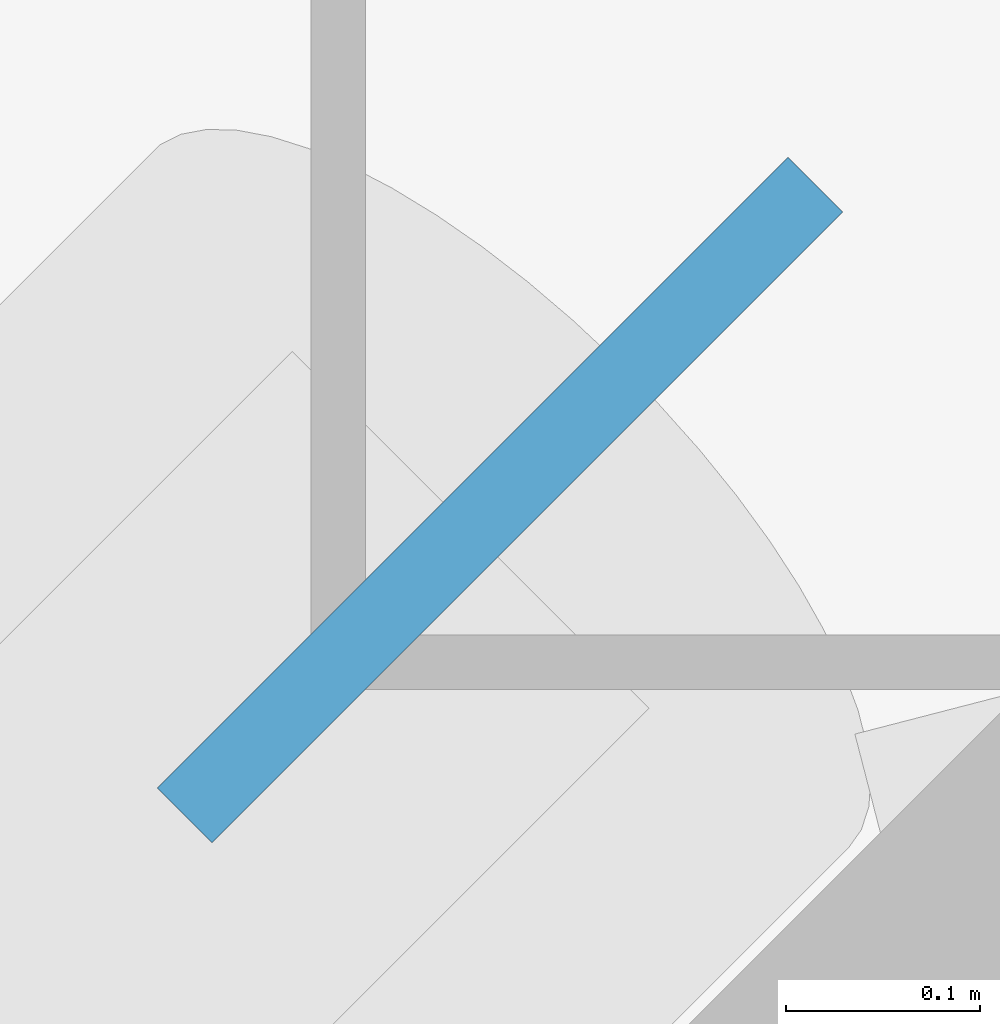
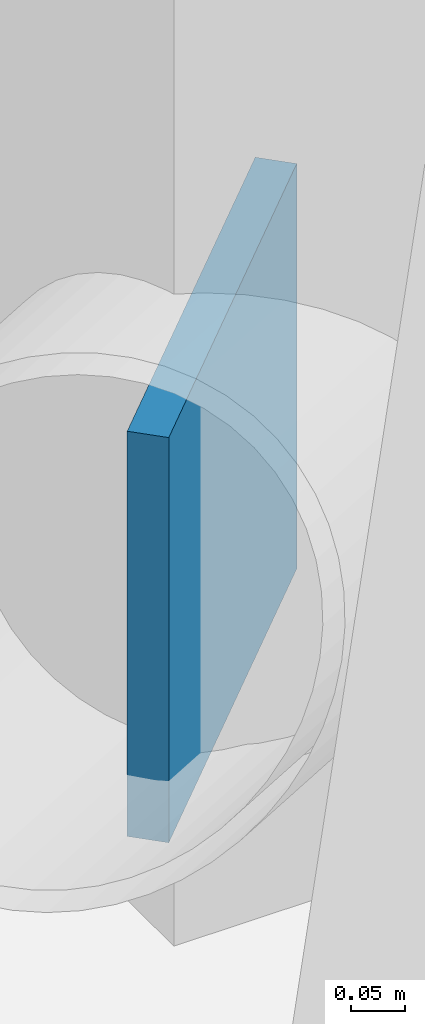
# One storey, part 16 of 18: 1 discrete accessory.
"""IFC4 building model written with IfcOpenShell, lengths in metres."""

from ifc_helpers import new_model, si_unit, direction, frame, origin, origin_2d, place, context, subcontext, project, spatial, rectangle, extrude, material, type_object, element, save


model = new_model("IFC4")

# Units and contexts
model_context = context("Model", 3, precision=1e-05, world=origin(), true_north=direction((0.0, 1.0)))
body_context = subcontext(model_context, "Body", "Model", "MODEL_VIEW")
ifc_project = project(units=[si_unit("LENGTHUNIT", "METRE"), si_unit("AREAUNIT", "SQUARE_METRE"), si_unit("VOLUMEUNIT", "CUBIC_METRE"), si_unit("PLANEANGLEUNIT", "RADIAN"), si_unit("MASSUNIT", "GRAM", prefix="KILO")], contexts=[model_context])

# Site, building, storey
site_placement = place(None, origin())
site = spatial("IfcSite", under=ifc_project, at=site_placement, CompositionType="ELEMENT")
building_placement = place(site_placement, origin())
building = spatial("IfcBuilding", under=site, at=building_placement, Name="Tavrogorsk Clinical Tower", CompositionType="ELEMENT")
storey_placement = place(building_placement, frame((0.0, 0.0, 184.199951171875)))
storey = spatial("IfcBuildingStorey", under=building, at=storey_placement, Name="L42", CompositionType="ELEMENT", Elevation=184.199951171875)

# Discrete accessory
ifc_material = material(Name="Structural steel S440", Category="steel")
discrete_accessory_type = type_object("IfcDiscreteAccessoryType", Name="GussetPlateBracket_25", PredefinedType="BRACKET", material=ifc_material)
discrete_accessory_placement = place(storey_placement, frame((-28.12255859375, 26.217529296875, 0.18310546875), z_axis=(0.0, 0.0, 1.0), x_axis=(-0.707106781187, -0.707106781187, 0.0)))
element("IfcDiscreteAccessory", 1, at=discrete_accessory_placement, inside=storey, type_object=discrete_accessory_type, Name="L42 Brace Gusset Plate EXOCRN-L42-3-A", PredefinedType="BRACKET", context=body_context, shape_type="SweptSolid", body=[
    extrude(rectangle(XDim=0.4599609375, YDim=0.0400390625, at=origin_2d()), origin(), (0.0, 0.0, 1.0), 0.4599609375),
])

save(model, "model.ifc")
